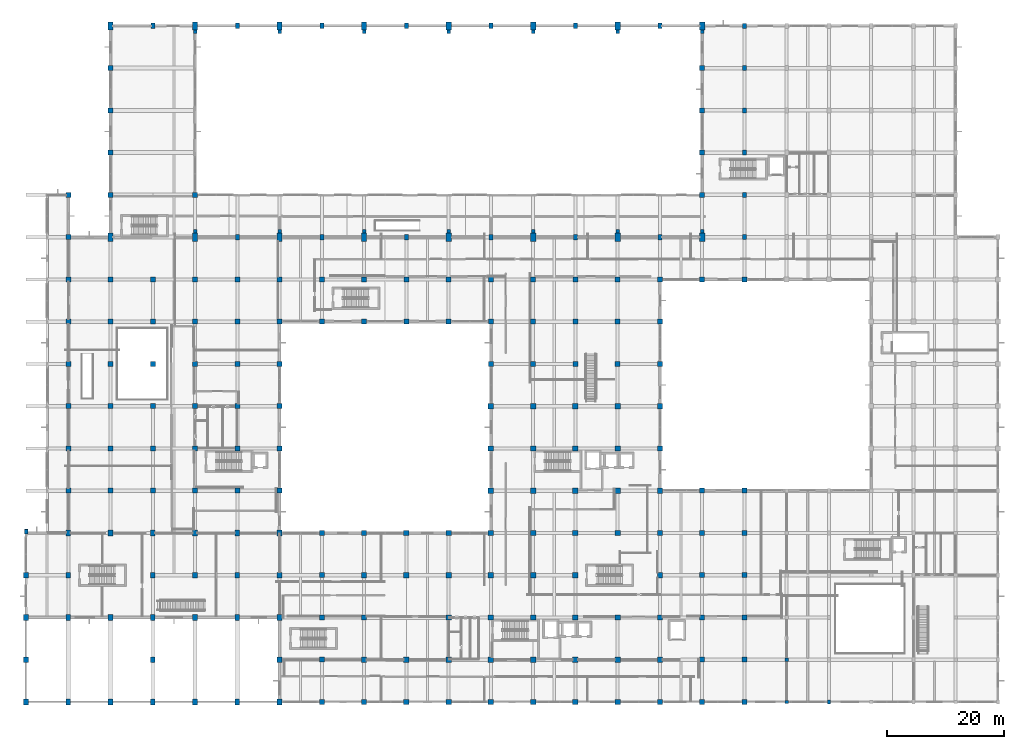
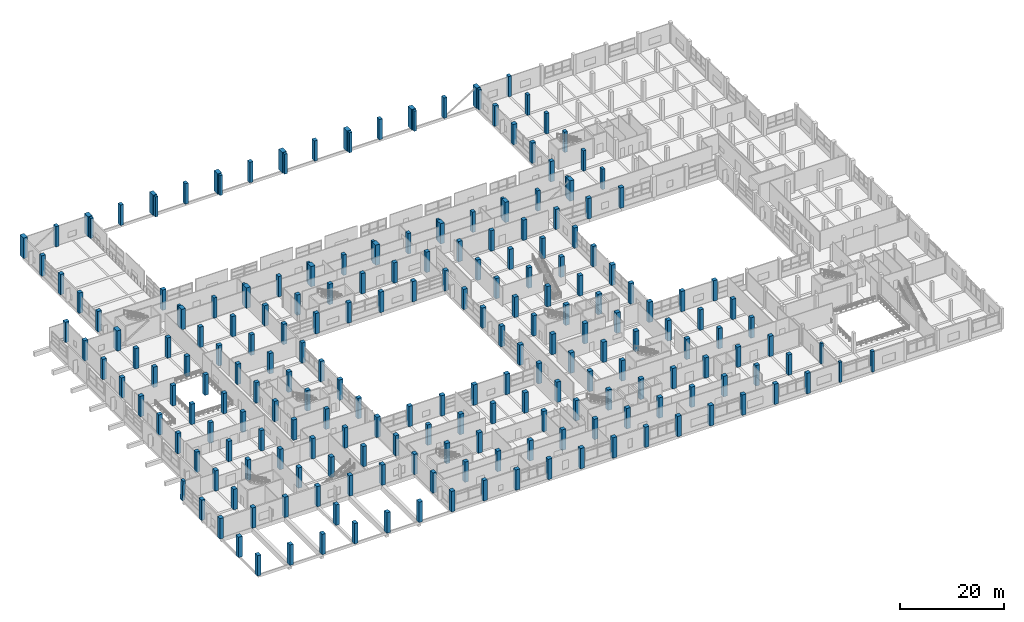
# One storey, part 1 of 181: 224 columns.
"""IFC4 building model written with IfcOpenShell, lengths in metres."""

from ifc_helpers import new_model, si_unit, direction, frame, origin, origin_2d, place, context, subcontext, project, spatial, rectangle, extrude, material, material_profile, profile_set, type_object, element, save


model = new_model("IFC4")

# Units and contexts
model_context = context("Model", 3, precision=1e-05, world=origin(), true_north=direction((0.0, 1.0)))
body_context = subcontext(model_context, "Body", "Model", "MODEL_VIEW")
ifc_project = project(units=[si_unit("LENGTHUNIT", "METRE"), si_unit("AREAUNIT", "SQUARE_METRE"), si_unit("VOLUMEUNIT", "CUBIC_METRE"), si_unit("PLANEANGLEUNIT", "RADIAN"), si_unit("MASSUNIT", "GRAM", prefix="KILO")], contexts=[model_context])

# Site, building, storey
site_placement = place(None, origin())
site = spatial("IfcSite", under=ifc_project, at=site_placement, CompositionType="ELEMENT")
building_placement = place(site_placement, origin())
building = spatial("IfcBuilding", under=site, at=building_placement, Name="Seraya Terrace Polytechnic", CompositionType="ELEMENT")
storey_placement = place(building_placement, frame((0.0, 0.0, 4.800048828125)))
storey = spatial("IfcBuildingStorey", under=building, at=storey_placement, Name="L01", CompositionType="ELEMENT", Elevation=4.800048828125)

# Columns
ifc_material = material(Name="Concrete C40/50", Category="concrete")
ifc_material_profile_1 = material_profile(ifc_material, rectangle(XDim=0.89990234375, YDim=0.89990234375, at=origin_2d()), Name="RC 900x900")
ifc_profile_set_1 = profile_set([ifc_material_profile_1], Name="Concrete C40/50")
column_type_1 = type_object("IfcColumnType", Name="C-03", PredefinedType="COLUMN", material=ifc_profile_set_1)
for number, where, z_axis, x_axis, name in (
    (1, (57.60009765625, 0.0, 0.0), (0.0, 0.0, 1.0), (1.0, 0.0, 0.0), "Column C-03 L01 (57.6, 0.0)"),
    (2, (57.60009765625, 7.199951171875, 0.0), (0.0, 0.0, 1.0), (1.0, 0.0, 0.0), "Column C-03 L01 (57.6, 7.2)"),
    (3, (57.60009765625, 14.39990234375, 0.0), (0.0, 0.0, 1.0), (1.0, 0.0, 0.0), "Column C-03 L01 (57.6, 14.4)"),
    (4, (57.60009765625, 21.60009765625, 0.0), (0.0, 0.0, 1.0), (1.0, 0.0, 0.0), "Column C-03 L01 (57.6, 21.6)"),
    (5, (57.60009765625, 28.800048828125, 0.0), (0.0, 0.0, 1.0), (1.0, 0.0, 0.0), "Column C-03 L01 (57.6, 28.8)"),
    (6, (64.800048828125, 0.0, 0.0), (0.0, 0.0, 1.0), (1.0, 0.0, 0.0), "Column C-03 L01 (64.8, 0.0)"),
    (7, (64.800048828125, 7.199951171875, 0.0), (0.0, 0.0, 1.0), (1.0, 0.0, 0.0), "Column C-03 L01 (64.8, 7.2)"),
    (8, (64.800048828125, 21.60009765625, 0.0), (0.0, 0.0, 1.0), (1.0, 0.0, 0.0), "Column C-03 L01 (64.8, 21.6)"),
    (9, (64.800048828125, 28.800048828125, 0.0), (0.0, 0.0, 1.0), (1.0, 0.0, 0.0), "Column C-03 L01 (64.8, 28.8)"),
    (10, (72.0, 0.0, 0.0), (0.0, 0.0, 1.0), (1.0, 0.0, 0.0), "Column C-03 L01 (72.0, 0.0)"),
    (11, (72.0, 7.199951171875, 0.0), (0.0, 0.0, 1.0), (1.0, 0.0, 0.0), "Column C-03 L01 (72.0, 7.2)"),
    (12, (72.0, 14.39990234375, 0.0), (0.0, 0.0, 1.0), (1.0, 0.0, 0.0), "Column C-03 L01 (72.0, 14.4)"),
    (13, (72.0, 21.60009765625, 0.0), (0.0, 0.0, 1.0), (1.0, 0.0, 0.0), "Column C-03 L01 (72.0, 21.6)"),
    (14, (72.0, 28.800048828125, 0.0), (0.0, 0.0, 1.0), (1.0, 0.0, 0.0), "Column C-03 L01 (72.0, 28.8)"),
    (15, (79.199951171875, 0.0, 0.0), (0.0, 0.0, 1.0), (1.0, 0.0, 0.0), "Column C-03 L01 (79.2, 0.0)"),
    (16, (79.199951171875, 7.199951171875, 0.0), (0.0, 0.0, 1.0), (1.0, 0.0, 0.0), "Column C-03 L01 (79.2, 7.2)"),
    (17, (79.199951171875, 14.39990234375, 0.0), (0.0, 0.0, 1.0), (1.0, 0.0, 0.0), "Column C-03 L01 (79.2, 14.4)"),
    (18, (79.199951171875, 21.60009765625, 0.0), (0.0, 0.0, 1.0), (1.0, 0.0, 0.0), "Column C-03 L01 (79.2, 21.6)"),
    (19, (79.199951171875, 28.800048828125, 0.0), (0.0, 0.0, 1.0), (1.0, 0.0, 0.0), "Column C-03 L01 (79.2, 28.8)"),
    (20, (79.199951171875, 36.0, 0.0), (0.0, 0.0, 1.0), (1.0, 0.0, 0.0), "Column C-03 L01 (79.2, 36.0)"),
    (21, (79.199951171875, 43.199951171875, 0.0), (0.0, 0.0, 1.0), (1.0, 0.0, 0.0), "Column C-03 L01 (79.2, 43.2)"),
    (22, (79.199951171875, 50.39990234375, 0.0), (0.0, 0.0, 1.0), (1.0, 0.0, 0.0), "Column C-03 L01 (79.2, 50.4)"),
    (23, (86.39990234375, 0.0, 0.0), (0.0, 0.0, 1.0), (1.0, 0.0, 0.0), "Column C-03 L01 (86.4, 0.0)"),
    (24, (86.39990234375, 7.199951171875, 0.0), (0.0, 0.0, 1.0), (1.0, 0.0, 0.0), "Column C-03 L01 (86.4, 7.2)"),
    (25, (86.39990234375, 14.39990234375, 0.0), (0.0, 0.0, 1.0), (1.0, 0.0, 0.0), "Column C-03 L01 (86.4, 14.4)"),
    (26, (86.39990234375, 21.60009765625, 0.0), (0.0, 0.0, 1.0), (1.0, 0.0, 0.0), "Column C-03 L01 (86.4, 21.6)"),
    (27, (86.39990234375, 28.800048828125, 0.0), (0.0, 0.0, 1.0), (1.0, 0.0, 0.0), "Column C-03 L01 (86.4, 28.8)"),
    (28, (86.39990234375, 36.0, 0.0), (0.0, 0.0, 1.0), (1.0, 0.0, 0.0), "Column C-03 L01 (86.4, 36.0)"),
    (29, (86.39990234375, 43.199951171875, 0.0), (0.0, 0.0, 1.0), (1.0, 0.0, 0.0), "Column C-03 L01 (86.4, 43.2)"),
    (30, (86.39990234375, 50.39990234375, 0.0), (0.0, 0.0, 1.0), (1.0, 0.0, 0.0), "Column C-03 L01 (86.4, 50.4)"),
    (31, (93.60009765625, 0.0, 0.0), (0.0, 0.0, 1.0), (1.0, 0.0, 0.0), "Column C-03 L01 (93.6, 0.0)"),
    (32, (93.60009765625, 7.199951171875, 0.0), (0.0, 0.0, 1.0), (1.0, 0.0, 0.0), "Column C-03 L01 (93.6, 7.2)"),
    (33, (93.60009765625, 14.39990234375, 0.0), (0.0, 0.0, 1.0), (1.0, 0.0, 0.0), "Column C-03 L01 (93.6, 14.4)"),
    (34, (93.60009765625, 21.60009765625, 0.0), (0.0, 0.0, 1.0), (1.0, 0.0, 0.0), "Column C-03 L01 (93.6, 21.6)"),
    (35, (93.60009765625, 28.800048828125, 0.0), (0.0, 0.0, 1.0), (1.0, 0.0, 0.0), "Column C-03 L01 (93.6, 28.8)"),
    (36, (93.60009765625, 36.0, 0.0), (0.0, 0.0, 1.0), (1.0, 0.0, 0.0), "Column C-03 L01 (93.6, 36.0)"),
    (37, (93.60009765625, 43.199951171875, 0.0), (0.0, 0.0, 1.0), (1.0, 0.0, 0.0), "Column C-03 L01 (93.6, 43.2)"),
    (38, (93.60009765625, 50.39990234375, 0.0), (0.0, 0.0, 1.0), (1.0, 0.0, 0.0), "Column C-03 L01 (93.6, 50.4)"),
    (39, (100.800048828125, 0.0, 0.0), (0.0, 0.0, 1.0), (1.0, 0.0, 0.0), "Column C-03 L01 (100.8, 0.0)"),
    (40, (100.800048828125, 7.199951171875, 0.0), (0.0, 0.0, 1.0), (1.0, 0.0, 0.0), "Column C-03 L01 (100.8, 7.2)"),
    (41, (100.800048828125, 14.39990234375, 0.0), (0.0, 0.0, 1.0), (1.0, 0.0, 0.0), "Column C-03 L01 (100.8, 14.4)"),
    (42, (100.800048828125, 28.800048828125, 0.0), (0.0, 0.0, 1.0), (1.0, 0.0, 0.0), "Column C-03 L01 (100.8, 28.8)"),
    (43, (100.800048828125, 36.0, 0.0), (0.0, 0.0, 1.0), (1.0, 0.0, 0.0), "Column C-03 L01 (100.8, 36.0)"),
    (44, (100.800048828125, 43.199951171875, 0.0), (0.0, 0.0, 1.0), (1.0, 0.0, 0.0), "Column C-03 L01 (100.8, 43.2)"),
    (45, (100.800048828125, 50.39990234375, 0.0), (0.0, 0.0, 1.0), (1.0, 0.0, 0.0), "Column C-03 L01 (100.8, 50.4)"),
    (46, (108.0, 0.0, 0.0), (0.0, 0.0, 1.0), (1.0, 0.0, 0.0), "Column C-03 L01 (108.0, 0.0)"),
    (47, (108.0, 7.199951171875, 0.0), (0.0, 0.0, 1.0), (1.0, 0.0, 0.0), "Column C-03 L01 (108.0, 7.2)"),
    (48, (108.0, 14.39990234375, 0.0), (0.0, 0.0, 1.0), (1.0, 0.0, 0.0), "Column C-03 L01 (108.0, 14.4)"),
    (49, (108.0, 21.60009765625, 0.0), (0.0, 0.0, 1.0), (1.0, 0.0, 0.0), "Column C-03 L01 (108.0, 21.6)"),
    (50, (108.0, 28.800048828125, 0.0), (0.0, 0.0, 1.0), (1.0, 0.0, 0.0), "Column C-03 L01 (108.0, 28.8)"),
    (51, (108.0, 36.0, 0.0), (0.0, 0.0, 1.0), (1.0, 0.0, 0.0), "Column C-03 L01 (108.0, 36.0)"),
    (52, (108.0, 43.199951171875, 0.0), (0.0, 0.0, 1.0), (1.0, 0.0, 0.0), "Column C-03 L01 (108.0, 43.2)"),
    (53, (108.0, 50.39990234375, 0.0), (0.0, 0.0, 1.0), (1.0, 0.0, 0.0), "Column C-03 L01 (108.0, 50.4)"),
):
    element("IfcColumn", number, at=place(storey_placement, frame(where, z_axis=z_axis, x_axis=x_axis)), inside=storey, type_object=column_type_1, Name=name, PredefinedType="COLUMN", context=body_context, shape_type="SweptSolid", body=[
        extrude(rectangle(XDim=0.89990234375, YDim=0.89990234375, at=origin_2d()), origin(), (0.0, 0.0, 1.0), 4.800048828125),
    ])
ifc_material_profile_2 = material_profile(ifc_material, rectangle(XDim=0.85009765625, YDim=0.85009765625, at=origin_2d()), Name="RC 850x850")
ifc_profile_set_2 = profile_set([ifc_material_profile_2], Name="Concrete C40/50")
column_type_2 = type_object("IfcColumnType", Name="C-04", PredefinedType="COLUMN", material=ifc_profile_set_2)
for number, where, z_axis, x_axis, name in (
    (54, (7.199951171875, 36.0, 0.0), (0.0, 0.0, 1.0), (1.0, 0.0, 0.0), "Column C-04 L01 (7.2, 36.0)"),
    (55, (7.199951171875, 43.199951171875, 0.0), (0.0, 0.0, 1.0), (1.0, 0.0, 0.0), "Column C-04 L01 (7.2, 43.2)"),
    (56, (7.199951171875, 50.39990234375, 0.0), (0.0, 0.0, 1.0), (1.0, 0.0, 0.0), "Column C-04 L01 (7.2, 50.4)"),
    (57, (7.199951171875, 57.60009765625, 0.0), (0.0, 0.0, 1.0), (1.0, 0.0, 0.0), "Column C-04 L01 (7.2, 57.6)"),
    (58, (7.199951171875, 64.800048828125, 0.0), (0.0, 0.0, 1.0), (1.0, 0.0, 0.0), "Column C-04 L01 (7.2, 64.8)"),
    (59, (7.199951171875, 72.0, 0.0), (0.0, 0.0, 1.0), (1.0, 0.0, 0.0), "Column C-04 L01 (7.2, 72.0)"),
    (60, (7.199951171875, 79.199951171875, 0.0), (0.0, 0.0, 1.0), (1.0, 0.0, 0.0), "Column C-04 L01 (7.2, 79.2)"),
    (61, (7.199951171875, 86.39990234375, 0.0), (0.0, 0.0, 1.0), (1.0, 0.0, 0.0), "Column C-04 L01 (7.2, 86.4)"),
    (62, (14.39990234375, 36.0, 0.0), (0.0, 0.0, 1.0), (1.0, 0.0, 0.0), "Column C-04 L01 (14.4, 36.0)"),
    (63, (14.39990234375, 43.199951171875, 0.0), (0.0, 0.0, 1.0), (1.0, 0.0, 0.0), "Column C-04 L01 (14.4, 43.2)"),
    (64, (14.39990234375, 50.39990234375, 0.0), (0.0, 0.0, 1.0), (1.0, 0.0, 0.0), "Column C-04 L01 (14.4, 50.4)"),
    (65, (14.39990234375, 57.60009765625, 0.0), (0.0, 0.0, 1.0), (1.0, 0.0, 0.0), "Column C-04 L01 (14.4, 57.6)"),
    (66, (14.39990234375, 64.800048828125, 0.0), (0.0, 0.0, 1.0), (1.0, 0.0, 0.0), "Column C-04 L01 (14.4, 64.8)"),
    (67, (14.39990234375, 72.0, 0.0), (0.0, 0.0, 1.0), (1.0, 0.0, 0.0), "Column C-04 L01 (14.4, 72.0)"),
    (68, (14.39990234375, 86.39990234375, 0.0), (0.0, 0.0, 1.0), (1.0, 0.0, 0.0), "Column C-04 L01 (14.4, 86.4)"),
    (69, (14.39990234375, 93.60009765625, 0.0), (0.0, 0.0, 1.0), (1.0, 0.0, 0.0), "Column C-04 L01 (14.4, 93.6)"),
    (70, (14.39990234375, 100.800048828125, 0.0), (0.0, 0.0, 1.0), (1.0, 0.0, 0.0), "Column C-04 L01 (14.4, 100.8)"),
    (71, (14.39990234375, 108.0, 0.0), (0.0, 0.0, 1.0), (1.0, 0.0, 0.0), "Column C-04 L01 (14.4, 108.0)"),
    (72, (21.60009765625, 36.0, 0.0), (0.0, 0.0, 1.0), (1.0, 0.0, 0.0), "Column C-04 L01 (21.6, 36.0)"),
    (73, (21.60009765625, 43.199951171875, 0.0), (0.0, 0.0, 1.0), (1.0, 0.0, 0.0), "Column C-04 L01 (21.6, 43.2)"),
    (74, (21.60009765625, 50.39990234375, 0.0), (0.0, 0.0, 1.0), (1.0, 0.0, 0.0), "Column C-04 L01 (21.6, 50.4)"),
    (75, (21.60009765625, 57.60009765625, 0.0), (0.0, 0.0, 1.0), (1.0, 0.0, 0.0), "Column C-04 L01 (21.6, 57.6)"),
    (76, (21.60009765625, 64.800048828125, 0.0), (0.0, 0.0, 1.0), (1.0, 0.0, 0.0), "Column C-04 L01 (21.6, 64.8)"),
    (77, (21.60009765625, 72.0, 0.0), (0.0, 0.0, 1.0), (1.0, 0.0, 0.0), "Column C-04 L01 (21.6, 72.0)"),
    (78, (28.800048828125, 36.0, 0.0), (0.0, 0.0, 1.0), (1.0, 0.0, 0.0), "Column C-04 L01 (28.8, 36.0)"),
    (79, (28.800048828125, 43.199951171875, 0.0), (0.0, 0.0, 1.0), (1.0, 0.0, 0.0), "Column C-04 L01 (28.8, 43.2)"),
    (80, (28.800048828125, 50.39990234375, 0.0), (0.0, 0.0, 1.0), (1.0, 0.0, 0.0), "Column C-04 L01 (28.8, 50.4)"),
    (81, (28.800048828125, 57.60009765625, 0.0), (0.0, 0.0, 1.0), (1.0, 0.0, 0.0), "Column C-04 L01 (28.8, 57.6)"),
    (82, (28.800048828125, 64.800048828125, 0.0), (0.0, 0.0, 1.0), (1.0, 0.0, 0.0), "Column C-04 L01 (28.8, 64.8)"),
    (83, (28.800048828125, 72.0, 0.0), (0.0, 0.0, 1.0), (1.0, 0.0, 0.0), "Column C-04 L01 (28.8, 72.0)"),
    (84, (28.800048828125, 86.39990234375, 0.0), (0.0, 0.0, 1.0), (1.0, 0.0, 0.0), "Column C-04 L01 (28.8, 86.4)"),
    (85, (36.0, 36.0, 0.0), (0.0, 0.0, 1.0), (1.0, 0.0, 0.0), "Column C-04 L01 (36.0, 36.0)"),
    (86, (36.0, 43.199951171875, 0.0), (0.0, 0.0, 1.0), (1.0, 0.0, 0.0), "Column C-04 L01 (36.0, 43.2)"),
    (87, (36.0, 50.39990234375, 0.0), (0.0, 0.0, 1.0), (1.0, 0.0, 0.0), "Column C-04 L01 (36.0, 50.4)"),
    (88, (36.0, 57.60009765625, 0.0), (0.0, 0.0, 1.0), (1.0, 0.0, 0.0), "Column C-04 L01 (36.0, 57.6)"),
    (89, (36.0, 64.800048828125, 0.0), (0.0, 0.0, 1.0), (1.0, 0.0, 0.0), "Column C-04 L01 (36.0, 64.8)"),
    (90, (36.0, 72.0, 0.0), (0.0, 0.0, 1.0), (1.0, 0.0, 0.0), "Column C-04 L01 (36.0, 72.0)"),
    (91, (43.199951171875, 36.0, 0.0), (0.0, 0.0, 1.0), (1.0, 0.0, 0.0), "Column C-04 L01 (43.2, 36.0)"),
    (92, (43.199951171875, 43.199951171875, 0.0), (0.0, 0.0, 1.0), (1.0, 0.0, 0.0), "Column C-04 L01 (43.2, 43.2)"),
    (93, (43.199951171875, 50.39990234375, 0.0), (0.0, 0.0, 1.0), (1.0, 0.0, 0.0), "Column C-04 L01 (43.2, 50.4)"),
    (94, (43.199951171875, 57.60009765625, 0.0), (0.0, 0.0, 1.0), (1.0, 0.0, 0.0), "Column C-04 L01 (43.2, 57.6)"),
    (95, (43.199951171875, 64.800048828125, 0.0), (0.0, 0.0, 1.0), (1.0, 0.0, 0.0), "Column C-04 L01 (43.2, 64.8)"),
    (96, (43.199951171875, 72.0, 0.0), (0.0, 0.0, 1.0), (1.0, 0.0, 0.0), "Column C-04 L01 (43.2, 72.0)"),
    (97, (50.39990234375, 0.0, 0.0), (0.0, 0.0, 1.0), (1.0, 0.0, 0.0), "Column C-04 L01 (50.4, 0.0)"),
    (98, (50.39990234375, 7.199951171875, 0.0), (0.0, 0.0, 1.0), (1.0, 0.0, 0.0), "Column C-04 L01 (50.4, 7.2)"),
    (99, (50.39990234375, 14.39990234375, 0.0), (0.0, 0.0, 1.0), (1.0, 0.0, 0.0), "Column C-04 L01 (50.4, 14.4)"),
    (100, (50.39990234375, 21.60009765625, 0.0), (0.0, 0.0, 1.0), (1.0, 0.0, 0.0), "Column C-04 L01 (50.4, 21.6)"),
    (101, (50.39990234375, 28.800048828125, 0.0), (0.0, 0.0, 1.0), (1.0, 0.0, 0.0), "Column C-04 L01 (50.4, 28.8)"),
    (102, (50.39990234375, 64.800048828125, 0.0), (0.0, 0.0, 1.0), (1.0, 0.0, 0.0), "Column C-04 L01 (50.4, 64.8)"),
    (103, (50.39990234375, 72.0, 0.0), (0.0, 0.0, 1.0), (1.0, 0.0, 0.0), "Column C-04 L01 (50.4, 72.0)"),
    (104, (57.60009765625, 64.800048828125, 0.0), (0.0, 0.0, 1.0), (1.0, 0.0, 0.0), "Column C-04 L01 (57.6, 64.8)"),
    (105, (57.60009765625, 72.0, 0.0), (0.0, 0.0, 1.0), (1.0, 0.0, 0.0), "Column C-04 L01 (57.6, 72.0)"),
    (106, (64.800048828125, 64.800048828125, 0.0), (0.0, 0.0, 1.0), (1.0, 0.0, 0.0), "Column C-04 L01 (64.8, 64.8)"),
    (107, (64.800048828125, 72.0, 0.0), (0.0, 0.0, 1.0), (1.0, 0.0, 0.0), "Column C-04 L01 (64.8, 72.0)"),
    (108, (72.0, 64.800048828125, 0.0), (0.0, 0.0, 1.0), (1.0, 0.0, 0.0), "Column C-04 L01 (72.0, 64.8)"),
    (109, (72.0, 72.0, 0.0), (0.0, 0.0, 1.0), (1.0, 0.0, 0.0), "Column C-04 L01 (72.0, 72.0)"),
    (110, (79.199951171875, 57.60009765625, 0.0), (0.0, 0.0, 1.0), (1.0, 0.0, 0.0), "Column C-04 L01 (79.2, 57.6)"),
    (111, (79.199951171875, 64.800048828125, 0.0), (0.0, 0.0, 1.0), (1.0, 0.0, 0.0), "Column C-04 L01 (79.2, 64.8)"),
    (112, (79.199951171875, 72.0, 0.0), (0.0, 0.0, 1.0), (1.0, 0.0, 0.0), "Column C-04 L01 (79.2, 72.0)"),
    (113, (86.39990234375, 57.60009765625, 0.0), (0.0, 0.0, 1.0), (1.0, 0.0, 0.0), "Column C-04 L01 (86.4, 57.6)"),
    (114, (86.39990234375, 64.800048828125, 0.0), (0.0, 0.0, 1.0), (1.0, 0.0, 0.0), "Column C-04 L01 (86.4, 64.8)"),
    (115, (86.39990234375, 72.0, 0.0), (0.0, 0.0, 1.0), (1.0, 0.0, 0.0), "Column C-04 L01 (86.4, 72.0)"),
    (116, (93.60009765625, 57.60009765625, 0.0), (0.0, 0.0, 1.0), (1.0, 0.0, 0.0), "Column C-04 L01 (93.6, 57.6)"),
    (117, (93.60009765625, 64.800048828125, 0.0), (0.0, 0.0, 1.0), (1.0, 0.0, 0.0), "Column C-04 L01 (93.6, 64.8)"),
    (118, (93.60009765625, 72.0, 0.0), (0.0, 0.0, 1.0), (1.0, 0.0, 0.0), "Column C-04 L01 (93.6, 72.0)"),
    (119, (100.800048828125, 57.60009765625, 0.0), (0.0, 0.0, 1.0), (1.0, 0.0, 0.0), "Column C-04 L01 (100.8, 57.6)"),
    (120, (100.800048828125, 64.800048828125, 0.0), (0.0, 0.0, 1.0), (1.0, 0.0, 0.0), "Column C-04 L01 (100.8, 64.8)"),
    (121, (100.800048828125, 72.0, 0.0), (0.0, 0.0, 1.0), (1.0, 0.0, 0.0), "Column C-04 L01 (100.8, 72.0)"),
    (122, (108.0, 57.60009765625, 0.0), (0.0, 0.0, 1.0), (1.0, 0.0, 0.0), "Column C-04 L01 (108.0, 57.6)"),
    (123, (108.0, 64.800048828125, 0.0), (0.0, 0.0, 1.0), (1.0, 0.0, 0.0), "Column C-04 L01 (108.0, 64.8)"),
    (124, (108.0, 72.0, 0.0), (0.0, 0.0, 1.0), (1.0, 0.0, 0.0), "Column C-04 L01 (108.0, 72.0)"),
    (125, (115.199951171875, 0.0, 0.0), (0.0, 0.0, 1.0), (1.0, 0.0, 0.0), "Column C-04 L01 (115.2, 0.0)"),
    (126, (115.199951171875, 7.199951171875, 0.0), (0.0, 0.0, 1.0), (1.0, 0.0, 0.0), "Column C-04 L01 (115.2, 7.2)"),
    (127, (115.199951171875, 14.39990234375, 0.0), (0.0, 0.0, 1.0), (1.0, 0.0, 0.0), "Column C-04 L01 (115.2, 14.4)"),
    (128, (115.199951171875, 21.60009765625, 0.0), (0.0, 0.0, 1.0), (1.0, 0.0, 0.0), "Column C-04 L01 (115.2, 21.6)"),
    (129, (115.199951171875, 28.800048828125, 0.0), (0.0, 0.0, 1.0), (1.0, 0.0, 0.0), "Column C-04 L01 (115.2, 28.8)"),
    (130, (115.199951171875, 36.0, 0.0), (0.0, 0.0, 1.0), (1.0, 0.0, 0.0), "Column C-04 L01 (115.2, 36.0)"),
    (131, (115.199951171875, 72.0, 0.0), (0.0, 0.0, 1.0), (1.0, 0.0, 0.0), "Column C-04 L01 (115.2, 72.0)"),
    (132, (115.199951171875, 86.39990234375, 0.0), (0.0, 0.0, 1.0), (1.0, 0.0, 0.0), "Column C-04 L01 (115.2, 86.4)"),
    (133, (115.199951171875, 93.60009765625, 0.0), (0.0, 0.0, 1.0), (1.0, 0.0, 0.0), "Column C-04 L01 (115.2, 93.6)"),
    (134, (115.199951171875, 100.800048828125, 0.0), (0.0, 0.0, 1.0), (1.0, 0.0, 0.0), "Column C-04 L01 (115.2, 100.8)"),
    (135, (115.199951171875, 108.0, 0.0), (0.0, 0.0, 1.0), (1.0, 0.0, 0.0), "Column C-04 L01 (115.2, 108.0)"),
    (136, (122.39990234375, 0.0, 0.0), (0.0, 0.0, 1.0), (1.0, 0.0, 0.0), "Column C-04 L01 (122.4, 0.0)"),
    (137, (122.39990234375, 7.199951171875, 0.0), (0.0, 0.0, 1.0), (1.0, 0.0, 0.0), "Column C-04 L01 (122.4, 7.2)"),
    (138, (122.39990234375, 14.39990234375, 0.0), (0.0, 0.0, 1.0), (1.0, 0.0, 0.0), "Column C-04 L01 (122.4, 14.4)"),
    (139, (122.39990234375, 21.60009765625, 0.0), (0.0, 0.0, 1.0), (1.0, 0.0, 0.0), "Column C-04 L01 (122.4, 21.6)"),
    (140, (122.39990234375, 28.800048828125, 0.0), (0.0, 0.0, 1.0), (1.0, 0.0, 0.0), "Column C-04 L01 (122.4, 28.8)"),
    (141, (122.39990234375, 36.0, 0.0), (0.0, 0.0, 1.0), (1.0, 0.0, 0.0), "Column C-04 L01 (122.4, 36.0)"),
    (142, (122.39990234375, 72.0, 0.0), (0.0, 0.0, 1.0), (1.0, 0.0, 0.0), "Column C-04 L01 (122.4, 72.0)"),
):
    element("IfcColumn", number, at=place(storey_placement, frame(where, z_axis=z_axis, x_axis=x_axis)), inside=storey, type_object=column_type_2, Name=name, PredefinedType="COLUMN", context=body_context, shape_type="SweptSolid", body=[
        extrude(rectangle(XDim=0.85009765625, YDim=0.85009765625, at=origin_2d()), origin(), (0.0, 0.0, 1.0), 4.800048828125),
    ])
ifc_material_profile_3 = material_profile(ifc_material, rectangle(XDim=0.60009765625, YDim=0.60009765625, at=origin_2d()), Name="RC 600x600")
ifc_profile_set_3 = profile_set([ifc_material_profile_3], Name="Concrete C40/50")
column_type_3 = type_object("IfcColumnType", Name="C-09", PredefinedType="COLUMN", material=ifc_profile_set_3)
for number, where, z_axis, x_axis, name in (
    (143, (28.800048828125, 80.219970703125, 0.0), (0.0, 0.0, 1.0), (1.0, 0.0, 0.0), "Crane shoulder column L01 (28.8, 80.22)"),
    (144, (28.800048828125, 114.179931640625, 0.0), (0.0, 0.0, 1.0), (1.0, 0.0, 0.0), "Crane shoulder column L01 (28.8, 114.18)"),
    (145, (43.199951171875, 80.219970703125, 0.0), (0.0, 0.0, 1.0), (1.0, 0.0, 0.0), "Crane shoulder column L01 (43.2, 80.22)"),
    (146, (43.199951171875, 114.179931640625, 0.0), (0.0, 0.0, 1.0), (1.0, 0.0, 0.0), "Crane shoulder column L01 (43.2, 114.18)"),
    (147, (57.60009765625, 80.219970703125, 0.0), (0.0, 0.0, 1.0), (1.0, 0.0, 0.0), "Crane shoulder column L01 (57.6, 80.22)"),
    (148, (57.60009765625, 114.179931640625, 0.0), (0.0, 0.0, 1.0), (1.0, 0.0, 0.0), "Crane shoulder column L01 (57.6, 114.18)"),
    (149, (72.0, 80.219970703125, 0.0), (0.0, 0.0, 1.0), (1.0, 0.0, 0.0), "Crane shoulder column L01 (72.0, 80.22)"),
    (150, (72.0, 114.179931640625, 0.0), (0.0, 0.0, 1.0), (1.0, 0.0, 0.0), "Crane shoulder column L01 (72.0, 114.18)"),
    (151, (86.39990234375, 80.219970703125, 0.0), (0.0, 0.0, 1.0), (1.0, 0.0, 0.0), "Crane shoulder column L01 (86.4, 80.22)"),
    (152, (86.39990234375, 114.179931640625, 0.0), (0.0, 0.0, 1.0), (1.0, 0.0, 0.0), "Crane shoulder column L01 (86.4, 114.18)"),
    (153, (100.800048828125, 80.219970703125, 0.0), (0.0, 0.0, 1.0), (1.0, 0.0, 0.0), "Crane shoulder column L01 (100.8, 80.22)"),
    (154, (100.800048828125, 114.179931640625, 0.0), (0.0, 0.0, 1.0), (1.0, 0.0, 0.0), "Crane shoulder column L01 (100.8, 114.18)"),
    (155, (115.199951171875, 80.219970703125, 0.0), (0.0, 0.0, 1.0), (1.0, 0.0, 0.0), "Crane shoulder column L01 (115.2, 80.22)"),
    (156, (115.199951171875, 114.179931640625, 0.0), (0.0, 0.0, 1.0), (1.0, 0.0, 0.0), "Crane shoulder column L01 (115.2, 114.18)"),
):
    element("IfcColumn", number, at=place(storey_placement, frame(where, z_axis=z_axis, x_axis=x_axis)), inside=storey, type_object=column_type_3, Name=name, PredefinedType="COLUMN", context=body_context, shape_type="SweptSolid", body=[
        extrude(rectangle(XDim=0.60009765625, YDim=0.60009765625, at=origin_2d()), origin(), (0.0, 0.0, 1.0), 4.7138671875),
    ])
ifc_material_profile_4 = material_profile(ifc_material, rectangle(XDim=0.550048828125, YDim=0.550048828125, at=origin_2d()), Name="RC 550x550")
ifc_profile_set_4 = profile_set([ifc_material_profile_4], Name="Concrete C40/50")
column_type_4 = type_object("IfcColumnType", Name="C-10", PredefinedType="COLUMN", material=ifc_profile_set_4)
for number, where, z_axis, x_axis, name in (
    (157, (129.60009765625, 0.0, 0.0), (0.0, 0.0, 1.0), (1.0, 0.0, 0.0), "Column C-10 L01 (129.6, 0.0)"),
    (158, (129.60009765625, 7.199951171875, 0.0), (0.0, 0.0, 1.0), (1.0, 0.0, 0.0), "Column C-10 L01 (129.6, 7.2)"),
):
    element("IfcColumn", number, at=place(storey_placement, frame(where, z_axis=z_axis, x_axis=x_axis)), inside=storey, type_object=column_type_4, Name=name, PredefinedType="COLUMN", context=body_context, shape_type="SweptSolid", body=[
        extrude(rectangle(XDim=0.550048828125, YDim=0.550048828125, at=origin_2d()), origin(), (0.0, 0.0, 1.0), 4.800048828125),
    ])
ifc_material_profile_5 = material_profile(ifc_material, rectangle(XDim=0.89990234375, YDim=1.39990234375, at=origin_2d()), Name="RC 900x1400")
ifc_profile_set_5 = profile_set([ifc_material_profile_5], Name="Concrete C40/50")
column_type_5 = type_object("IfcColumnType", Name="C-13", PredefinedType="COLUMN", material=ifc_profile_set_5)
for number, where, z_axis, x_axis, name in (
    (159, (14.39990234375, 79.199951171875, 0.0), (0.0, 0.0, 1.0), (1.0, 0.0, 0.0), "Column C-13 L01 (14.4, 79.2)"),
    (160, (14.39990234375, 115.199951171875, 0.0), (0.0, 0.0, 1.0), (1.0, 0.0, 0.0), "Column C-13 L01 (14.4, 115.2)"),
    (161, (28.800048828125, 79.199951171875, 0.0), (0.0, 0.0, 1.0), (1.0, 0.0, 0.0), "Column C-13 L01 (28.8, 79.2)"),
    (162, (28.800048828125, 115.199951171875, 0.0), (0.0, 0.0, 1.0), (1.0, 0.0, 0.0), "Column C-13 L01 (28.8, 115.2)"),
    (163, (43.199951171875, 79.199951171875, 0.0), (0.0, 0.0, 1.0), (1.0, 0.0, 0.0), "Column C-13 L01 (43.2, 79.2)"),
    (164, (43.199951171875, 115.199951171875, 0.0), (0.0, 0.0, 1.0), (1.0, 0.0, 0.0), "Column C-13 L01 (43.2, 115.2)"),
    (165, (57.60009765625, 79.199951171875, 0.0), (0.0, 0.0, 1.0), (1.0, 0.0, 0.0), "Column C-13 L01 (57.6, 79.2)"),
    (166, (57.60009765625, 115.199951171875, 0.0), (0.0, 0.0, 1.0), (1.0, 0.0, 0.0), "Column C-13 L01 (57.6, 115.2)"),
    (167, (72.0, 79.199951171875, 0.0), (0.0, 0.0, 1.0), (1.0, 0.0, 0.0), "Column C-13 L01 (72.0, 79.2)"),
    (168, (72.0, 115.199951171875, 0.0), (0.0, 0.0, 1.0), (1.0, 0.0, 0.0), "Column C-13 L01 (72.0, 115.2)"),
    (169, (86.39990234375, 79.199951171875, 0.0), (0.0, 0.0, 1.0), (1.0, 0.0, 0.0), "Column C-13 L01 (86.4, 79.2)"),
    (170, (86.39990234375, 115.199951171875, 0.0), (0.0, 0.0, 1.0), (1.0, 0.0, 0.0), "Column C-13 L01 (86.4, 115.2)"),
    (171, (100.800048828125, 79.199951171875, 0.0), (0.0, 0.0, 1.0), (1.0, 0.0, 0.0), "Column C-13 L01 (100.8, 79.2)"),
    (172, (100.800048828125, 115.199951171875, 0.0), (0.0, 0.0, 1.0), (1.0, 0.0, 0.0), "Column C-13 L01 (100.8, 115.2)"),
    (173, (115.199951171875, 79.199951171875, 0.0), (0.0, 0.0, 1.0), (1.0, 0.0, 0.0), "Column C-13 L01 (115.2, 79.2)"),
    (174, (115.199951171875, 115.199951171875, 0.0), (0.0, 0.0, 1.0), (1.0, 0.0, 0.0), "Column C-13 L01 (115.2, 115.2)"),
):
    element("IfcColumn", number, at=place(storey_placement, frame(where, z_axis=z_axis, x_axis=x_axis)), inside=storey, type_object=column_type_5, Name=name, PredefinedType="COLUMN", context=body_context, shape_type="SweptSolid", body=[
        extrude(rectangle(XDim=0.89990234375, YDim=1.39990234375, at=origin_2d()), origin(), (0.0, 0.0, 1.0), 4.800048828125),
    ])
ifc_material_profile_6 = material_profile(ifc_material, rectangle(XDim=0.800048828125, YDim=1.0, at=origin_2d()), Name="RC 800x1000")
ifc_profile_set_6 = profile_set([ifc_material_profile_6], Name="Concrete C40/50")
column_type_6 = type_object("IfcColumnType", Name="C-14", PredefinedType="COLUMN", material=ifc_profile_set_6)
for number, where, z_axis, x_axis, name in (
    (175, (0.0, 0.0, 0.0), (0.0, 0.0, 1.0), (1.0, 0.0, 0.0), "Column C-14 L01 (0.0, 0.0)"),
    (176, (0.0, 7.199951171875, 0.0), (0.0, 0.0, 1.0), (1.0, 0.0, 0.0), "Column C-14 L01 (0.0, 7.2)"),
    (177, (0.0, 14.39990234375, 0.0), (0.0, 0.0, 1.0), (1.0, 0.0, 0.0), "Column C-14 L01 (0.0, 14.4)"),
    (178, (0.0, 21.60009765625, 0.0), (0.0, 0.0, 1.0), (1.0, 0.0, 0.0), "Column C-14 L01 (0.0, 21.6)"),
    (179, (7.199951171875, 0.0, 0.0), (0.0, 0.0, 1.0), (1.0, 0.0, 0.0), "Column C-14 L01 (7.2, 0.0)"),
    (180, (7.199951171875, 14.39990234375, 0.0), (0.0, 0.0, 1.0), (1.0, 0.0, 0.0), "Column C-14 L01 (7.2, 14.4)"),
    (181, (7.199951171875, 21.60009765625, 0.0), (0.0, 0.0, 1.0), (1.0, 0.0, 0.0), "Column C-14 L01 (7.2, 21.6)"),
    (182, (7.199951171875, 28.800048828125, 0.0), (0.0, 0.0, 1.0), (1.0, 0.0, 0.0), "Column C-14 L01 (7.2, 28.8)"),
    (183, (14.39990234375, 0.0, 0.0), (0.0, 0.0, 1.0), (1.0, 0.0, 0.0), "Column C-14 L01 (14.4, 0.0)"),
    (184, (14.39990234375, 14.39990234375, 0.0), (0.0, 0.0, 1.0), (1.0, 0.0, 0.0), "Column C-14 L01 (14.4, 14.4)"),
    (185, (14.39990234375, 28.800048828125, 0.0), (0.0, 0.0, 1.0), (1.0, 0.0, 0.0), "Column C-14 L01 (14.4, 28.8)"),
    (186, (21.60009765625, 0.0, 0.0), (0.0, 0.0, 1.0), (1.0, 0.0, 0.0), "Column C-14 L01 (21.6, 0.0)"),
    (187, (21.60009765625, 7.199951171875, 0.0), (0.0, 0.0, 1.0), (1.0, 0.0, 0.0), "Column C-14 L01 (21.6, 7.2)"),
    (188, (21.60009765625, 14.39990234375, 0.0), (0.0, 0.0, 1.0), (1.0, 0.0, 0.0), "Column C-14 L01 (21.6, 14.4)"),
    (189, (21.60009765625, 21.60009765625, 0.0), (0.0, 0.0, 1.0), (1.0, 0.0, 0.0), "Column C-14 L01 (21.6, 21.6)"),
    (190, (21.60009765625, 28.800048828125, 0.0), (0.0, 0.0, 1.0), (1.0, 0.0, 0.0), "Column C-14 L01 (21.6, 28.8)"),
    (191, (28.800048828125, 0.0, 0.0), (0.0, 0.0, 1.0), (1.0, 0.0, 0.0), "Column C-14 L01 (28.8, 0.0)"),
    (192, (28.800048828125, 14.39990234375, 0.0), (0.0, 0.0, 1.0), (1.0, 0.0, 0.0), "Column C-14 L01 (28.8, 14.4)"),
    (193, (28.800048828125, 21.60009765625, 0.0), (0.0, 0.0, 1.0), (1.0, 0.0, 0.0), "Column C-14 L01 (28.8, 21.6)"),
    (194, (28.800048828125, 28.800048828125, 0.0), (0.0, 0.0, 1.0), (1.0, 0.0, 0.0), "Column C-14 L01 (28.8, 28.8)"),
    (195, (36.0, 0.0, 0.0), (0.0, 0.0, 1.0), (1.0, 0.0, 0.0), "Column C-14 L01 (36.0, 0.0)"),
    (196, (36.0, 14.39990234375, 0.0), (0.0, 0.0, 1.0), (1.0, 0.0, 0.0), "Column C-14 L01 (36.0, 14.4)"),
    (197, (36.0, 21.60009765625, 0.0), (0.0, 0.0, 1.0), (1.0, 0.0, 0.0), "Column C-14 L01 (36.0, 21.6)"),
    (198, (36.0, 28.800048828125, 0.0), (0.0, 0.0, 1.0), (1.0, 0.0, 0.0), "Column C-14 L01 (36.0, 28.8)"),
    (199, (43.199951171875, 0.0, 0.0), (0.0, 0.0, 1.0), (1.0, 0.0, 0.0), "Column C-14 L01 (43.2, 0.0)"),
    (200, (43.199951171875, 7.199951171875, 0.0), (0.0, 0.0, 1.0), (1.0, 0.0, 0.0), "Column C-14 L01 (43.2, 7.2)"),
    (201, (43.199951171875, 14.39990234375, 0.0), (0.0, 0.0, 1.0), (1.0, 0.0, 0.0), "Column C-14 L01 (43.2, 14.4)"),
    (202, (43.199951171875, 21.60009765625, 0.0), (0.0, 0.0, 1.0), (1.0, 0.0, 0.0), "Column C-14 L01 (43.2, 21.6)"),
    (203, (43.199951171875, 28.800048828125, 0.0), (0.0, 0.0, 1.0), (1.0, 0.0, 0.0), "Column C-14 L01 (43.2, 28.8)"),
):
    element("IfcColumn", number, at=place(storey_placement, frame(where, z_axis=z_axis, x_axis=x_axis)), inside=storey, type_object=column_type_6, Name=name, PredefinedType="COLUMN", context=body_context, shape_type="SweptSolid", body=[
        extrude(rectangle(XDim=0.800048828125, YDim=1.0, at=origin_2d()), origin(), (0.0, 0.0, 1.0), 4.800048828125),
    ])
ifc_material_profile_7 = material_profile(ifc_material, rectangle(XDim=0.699951171875, YDim=0.89990234375, at=origin_2d()), Name="RC 700x900")
ifc_profile_set_7 = profile_set([ifc_material_profile_7], Name="Concrete C40/50")
column_type_7 = type_object("IfcColumnType", Name="C-15", PredefinedType="COLUMN", material=ifc_profile_set_7)
for number, where, z_axis, x_axis, name in (
    (204, (21.60009765625, 115.199951171875, 0.0), (0.0, 0.0, 1.0), (1.0, 0.0, 0.0), "Column C-15 L01 (21.6, 115.2)"),
    (205, (36.0, 79.199951171875, 0.0), (0.0, 0.0, 1.0), (1.0, 0.0, 0.0), "Column C-15 L01 (36.0, 79.2)"),
    (206, (36.0, 115.199951171875, 0.0), (0.0, 0.0, 1.0), (1.0, 0.0, 0.0), "Column C-15 L01 (36.0, 115.2)"),
    (207, (50.39990234375, 79.199951171875, 0.0), (0.0, 0.0, 1.0), (1.0, 0.0, 0.0), "Column C-15 L01 (50.4, 79.2)"),
    (208, (50.39990234375, 115.199951171875, 0.0), (0.0, 0.0, 1.0), (1.0, 0.0, 0.0), "Column C-15 L01 (50.4, 115.2)"),
    (209, (64.800048828125, 79.199951171875, 0.0), (0.0, 0.0, 1.0), (1.0, 0.0, 0.0), "Column C-15 L01 (64.8, 79.2)"),
    (210, (64.800048828125, 115.199951171875, 0.0), (0.0, 0.0, 1.0), (1.0, 0.0, 0.0), "Column C-15 L01 (64.8, 115.2)"),
    (211, (79.199951171875, 79.199951171875, 0.0), (0.0, 0.0, 1.0), (1.0, 0.0, 0.0), "Column C-15 L01 (79.2, 79.2)"),
    (212, (79.199951171875, 115.199951171875, 0.0), (0.0, 0.0, 1.0), (1.0, 0.0, 0.0), "Column C-15 L01 (79.2, 115.2)"),
    (213, (93.60009765625, 79.199951171875, 0.0), (0.0, 0.0, 1.0), (1.0, 0.0, 0.0), "Column C-15 L01 (93.6, 79.2)"),
    (214, (93.60009765625, 115.199951171875, 0.0), (0.0, 0.0, 1.0), (1.0, 0.0, 0.0), "Column C-15 L01 (93.6, 115.2)"),
    (215, (108.0, 79.199951171875, 0.0), (0.0, 0.0, 1.0), (1.0, 0.0, 0.0), "Column C-15 L01 (108.0, 79.2)"),
    (216, (108.0, 115.199951171875, 0.0), (0.0, 0.0, 1.0), (1.0, 0.0, 0.0), "Column C-15 L01 (108.0, 115.2)"),
):
    element("IfcColumn", number, at=place(storey_placement, frame(where, z_axis=z_axis, x_axis=x_axis)), inside=storey, type_object=column_type_7, Name=name, PredefinedType="COLUMN", context=body_context, shape_type="SweptSolid", body=[
        extrude(rectangle(XDim=0.699951171875, YDim=0.89990234375, at=origin_2d()), origin(), (0.0, 0.0, 1.0), 4.800048828125),
    ])
ifc_material_profile_8 = material_profile(ifc_material, rectangle(XDim=0.64990234375, YDim=0.85009765625, at=origin_2d()), Name="RC 650x850")
ifc_profile_set_8 = profile_set([ifc_material_profile_8], Name="Concrete C40/50")
column_type_8 = type_object("IfcColumnType", Name="C-16", PredefinedType="COLUMN", material=ifc_profile_set_8)
for number, where, z_axis, x_axis, name in (
    (217, (122.39990234375, 79.199951171875, 0.0), (0.0, 0.0, 1.0), (1.0, 0.0, 0.0), "Column C-16 L01 (122.4, 79.2)"),
    (218, (122.39990234375, 86.39990234375, 0.0), (0.0, 0.0, 1.0), (1.0, 0.0, 0.0), "Column C-16 L01 (122.4, 86.4)"),
    (219, (122.39990234375, 93.60009765625, 0.0), (0.0, 0.0, 1.0), (1.0, 0.0, 0.0), "Column C-16 L01 (122.4, 93.6)"),
    (220, (122.39990234375, 100.800048828125, 0.0), (0.0, 0.0, 1.0), (1.0, 0.0, 0.0), "Column C-16 L01 (122.4, 100.8)"),
    (221, (122.39990234375, 108.0, 0.0), (0.0, 0.0, 1.0), (1.0, 0.0, 0.0), "Column C-16 L01 (122.4, 108.0)"),
    (222, (122.39990234375, 115.199951171875, 0.0), (0.0, 0.0, 1.0), (1.0, 0.0, 0.0), "Column C-16 L01 (122.4, 115.2)"),
):
    element("IfcColumn", number, at=place(storey_placement, frame(where, z_axis=z_axis, x_axis=x_axis)), inside=storey, type_object=column_type_8, Name=name, PredefinedType="COLUMN", context=body_context, shape_type="SweptSolid", body=[
        extrude(rectangle(XDim=0.64990234375, YDim=0.85009765625, at=origin_2d()), origin(), (0.0, 0.0, 1.0), 4.800048828125),
    ])
ifc_material_profile_9 = material_profile(ifc_material, rectangle(XDim=0.550048828125, YDim=0.75, at=origin_2d()), Name="RC 550x750")
ifc_profile_set_9 = profile_set([ifc_material_profile_9], Name="Concrete C40/50")
column_type_9 = type_object("IfcColumnType", Name="C-17", PredefinedType="COLUMN", material=ifc_profile_set_9)
column_1_placement = place(storey_placement, frame((136.800048828125, 0.0, 0.0), z_axis=(0.0, 0.0, 1.0), x_axis=(1.0, 0.0, 0.0)))
element("IfcColumn", 223, at=column_1_placement, inside=storey, type_object=column_type_9, Name="Column C-17 L01 (136.8, 0.0)", PredefinedType="COLUMN", context=body_context, shape_type="SweptSolid", body=[
    extrude(rectangle(XDim=0.550048828125, YDim=0.75, at=origin_2d()), origin(), (0.0, 0.0, 1.0), 4.800048828125),
])
ifc_material_profile_10 = material_profile(ifc_material, rectangle(XDim=0.60009765625, YDim=0.800048828125, at=origin_2d()), Name="RC 600x800")
ifc_profile_set_10 = profile_set([ifc_material_profile_10], Name="Concrete C40/50")
column_type_10 = type_object("IfcColumnType", Name="PL-C1", PredefinedType="PILASTER", material=ifc_profile_set_10)
column_2_placement = place(storey_placement, frame((0.0, 29.10009765625, 0.02783203125), z_axis=(0.0, -0.062750190136, 0.998029264921), x_axis=(1.0, 0.0, 0.0)))
element("IfcColumn", 224, at=column_2_placement, inside=storey, type_object=column_type_10, Name="Column PL-C1 L01 (0.0, 28.8)", PredefinedType="PILASTER", context=body_context, shape_type="SweptSolid", body=[
    extrude(rectangle(XDim=0.60009765625, YDim=0.800048828125, at=origin_2d()), origin(), (0.0, 0.0, 1.0), 4.78173828125),
])

save(model, "model.ifc")
